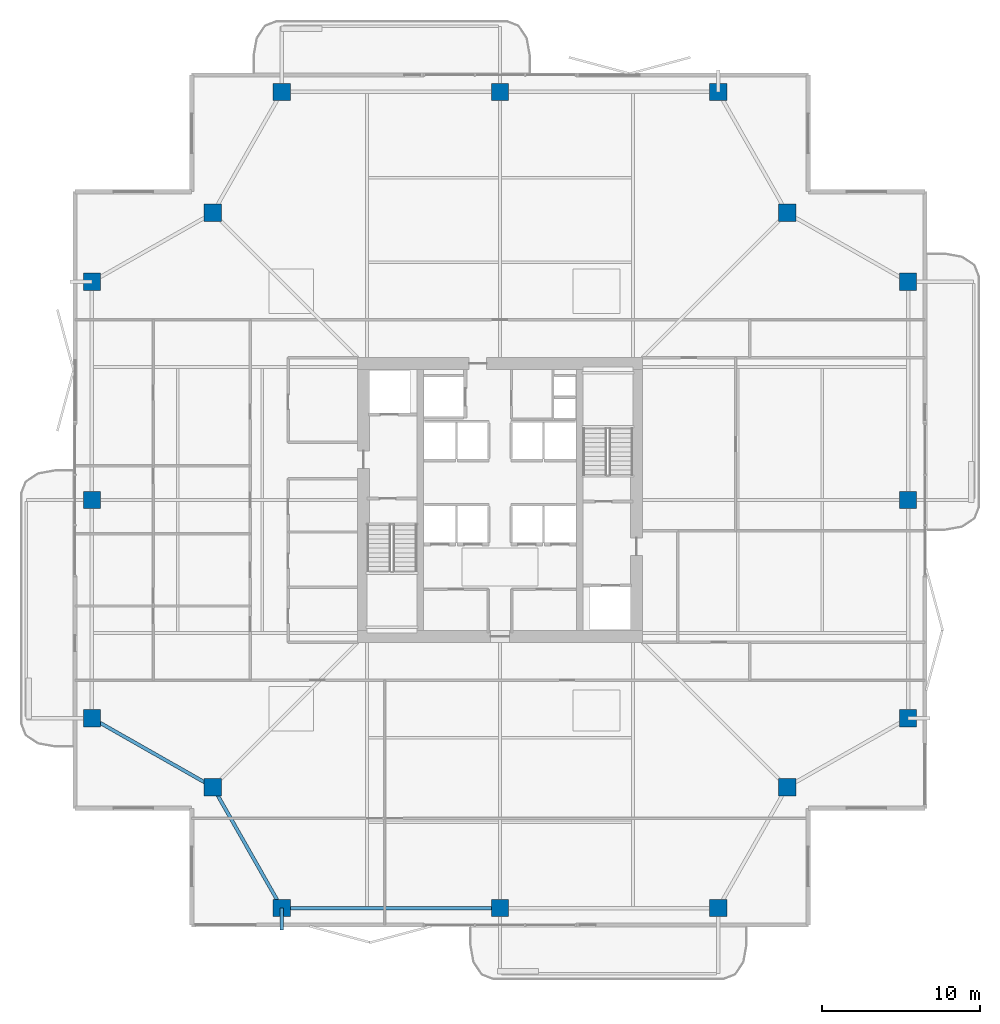
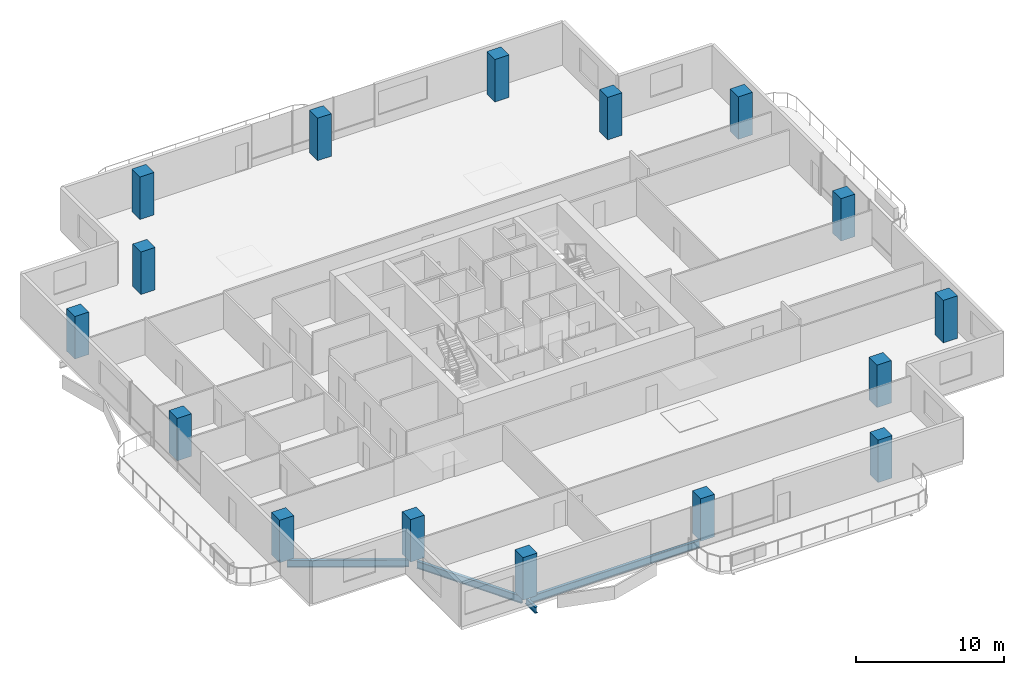
# One storey, part 1 of 24: 16 columns, 4 beams.
"""IFC4 building model written with IfcOpenShell, lengths in metres."""

from ifc_helpers import new_model, si_unit, direction, frame, origin, origin_2d, place, context, subcontext, project, spatial, rectangle, i_section, extrude, material, material_profile, profile_set, type_object, element, save


model = new_model("IFC4")

# Units and contexts
model_context = context("Model", 3, precision=1e-05, world=origin(), true_north=direction((0.0, 1.0)))
body_context = subcontext(model_context, "Body", "Model", "MODEL_VIEW")
ifc_project = project(units=[si_unit("LENGTHUNIT", "METRE"), si_unit("AREAUNIT", "SQUARE_METRE"), si_unit("VOLUMEUNIT", "CUBIC_METRE"), si_unit("PLANEANGLEUNIT", "RADIAN"), si_unit("MASSUNIT", "GRAM", prefix="KILO")], contexts=[model_context])

# Site, building, storey
site_placement = place(None, origin())
site = spatial("IfcSite", under=ifc_project, at=site_placement, CompositionType="ELEMENT")
building_placement = place(site_placement, origin())
building = spatial("IfcBuilding", under=site, at=building_placement, Name="Belovzor Exchange Tower", CompositionType="ELEMENT")
storey_placement = place(building_placement, frame((0.0, 0.0, 214.949951171875)))
storey = spatial("IfcBuildingStorey", under=building, at=storey_placement, Name="L53", CompositionType="ELEMENT", Elevation=214.949951171875)

# Columns
ifc_material_1 = material(Name="Concrete C50/60", Category="concrete")
ifc_material_profile_1 = material_profile(ifc_material_1, rectangle(XDim=1.10009765625, YDim=1.10009765625, at=origin_2d()))
ifc_profile_set_1 = profile_set([ifc_material_profile_1], Name="Concrete C50/60")
column_type = type_object("IfcColumnType", Name="Reinforced Concrete Tower Column 1100x1100", PredefinedType="COLUMN", material=ifc_profile_set_1)
for number, where, z_axis, x_axis, name in (
    (1, (15.0, 3.0, 0.0029296875), (0.0, 0.0, 1.0), (1.0, 0.0, 0.0), "COL-T110 Reinforced Concrete Tower Column 1100x1100"),
    (2, (28.800048828125, 3.0, 0.0029296875), (0.0, 0.0, 1.0), (1.0, 0.0, 0.0), "COL-T110 Reinforced Concrete Tower Column 1100x1100"),
    (3, (42.60009765625, 3.0, 0.0029296875), (0.0, 0.0, 1.0), (1.0, 0.0, 0.0), "COL-T110 Reinforced Concrete Tower Column 1100x1100"),
    (4, (54.60009765625, 15.0, 0.0029296875), (0.0, 0.0, 1.0), (1.0, 0.0, 0.0), "COL-T110 Reinforced Concrete Tower Column 1100x1100"),
    (5, (54.60009765625, 28.800048828125, 0.0029296875), (0.0, 0.0, 1.0), (1.0, 0.0, 0.0), "COL-T110 Reinforced Concrete Tower Column 1100x1100"),
    (6, (54.60009765625, 42.60009765625, 0.0029296875), (0.0, 0.0, 1.0), (1.0, 0.0, 0.0), "COL-T110 Reinforced Concrete Tower Column 1100x1100"),
    (7, (42.60009765625, 54.60009765625, 0.0029296875), (0.0, 0.0, 1.0), (1.0, 0.0, 0.0), "COL-T110 Reinforced Concrete Tower Column 1100x1100"),
    (8, (28.800048828125, 54.60009765625, 0.0029296875), (0.0, 0.0, 1.0), (1.0, 0.0, 0.0), "COL-T110 Reinforced Concrete Tower Column 1100x1100"),
    (9, (15.0, 54.60009765625, 0.0029296875), (0.0, 0.0, 1.0), (1.0, 0.0, 0.0), "COL-T110 Reinforced Concrete Tower Column 1100x1100"),
    (10, (3.0, 42.60009765625, 0.0029296875), (0.0, 0.0, 1.0), (1.0, 0.0, 0.0), "COL-T110 Reinforced Concrete Tower Column 1100x1100"),
    (11, (3.0, 28.800048828125, 0.0029296875), (0.0, 0.0, 1.0), (1.0, 0.0, 0.0), "COL-T110 Reinforced Concrete Tower Column 1100x1100"),
    (12, (3.0, 15.0, 0.0029296875), (0.0, 0.0, 1.0), (1.0, 0.0, 0.0), "COL-T110 Reinforced Concrete Tower Column 1100x1100"),
    (13, (10.64990234375, 10.64990234375, 0.0029296875), (0.0, 0.0, 1.0), (1.0, 0.0, 0.0), "COL-T110 Reinforced Concrete Tower Column 1100x1100"),
    (14, (46.949951171875, 10.64990234375, 0.0029296875), (0.0, 0.0, 1.0), (1.0, 0.0, 0.0), "COL-T110 Reinforced Concrete Tower Column 1100x1100"),
    (15, (46.949951171875, 46.949951171875, 0.0029296875), (0.0, 0.0, 1.0), (1.0, 0.0, 0.0), "COL-T110 Reinforced Concrete Tower Column 1100x1100"),
    (16, (10.64990234375, 46.949951171875, 0.0029296875), (0.0, 0.0, 1.0), (1.0, 0.0, 0.0), "COL-T110 Reinforced Concrete Tower Column 1100x1100"),
):
    element("IfcColumn", number, at=place(storey_placement, frame(where, z_axis=z_axis, x_axis=x_axis)), inside=storey, type_object=column_type, Name=name, PredefinedType="COLUMN", context=body_context, shape_type="SweptSolid", body=[
        extrude(rectangle(XDim=1.10009765625, YDim=1.10009765625, at=origin_2d()), origin(), (0.0, 0.0, 1.0), 3.494140625),
    ])

# Beams
ifc_material_2 = material(Name="Steel S355", Category="steel")
ifc_material_profile_2 = material_profile(ifc_material_2, i_section(OverallWidth=0.199951171875, OverallDepth=0.5, WebThickness=0.01025390625, FlangeThickness=0.01611328125, at=origin_2d()))
ifc_profile_set_2 = profile_set([ifc_material_profile_2], Name="Steel S355")
beam_type_1 = type_object("IfcBeamType", Name="Planted Balcony Cantilever Beam IPE 500", PredefinedType="BEAM", material=ifc_profile_set_2)
beam_1_placement = place(storey_placement, frame((15.0, 3.0, -0.5), z_axis=(0.0, -1.0, 0.0), x_axis=(1.0, 0.0, 0.0)))
element("IfcBeam", 17, at=beam_1_placement, inside=storey, type_object=beam_type_1, Name="BC-500 Planted Balcony Cantilever Beam IPE 500", PredefinedType="BEAM", context=body_context, shape_type="SweptSolid", body=[
    extrude(i_section(OverallWidth=0.199951171875, OverallDepth=0.5, WebThickness=0.01025390625, FlangeThickness=0.01611328125, at=origin_2d()), origin(), (0.0, 0.0, 1.0), 1.39990234375),
])
ifc_material_3 = material(Name="Steel S355", Category="steel")
ifc_material_profile_3 = material_profile(ifc_material_3, i_section(OverallWidth=0.219970703125, OverallDepth=0.60009765625, WebThickness=0.011962890625, FlangeThickness=0.01904296875, at=origin_2d()))
ifc_profile_set_3 = profile_set([ifc_material_profile_3], Name="Steel S355")
beam_type_2 = type_object("IfcBeamType", Name="Zone 4 Flare Primary Girder IPE 600", PredefinedType="BEAM", material=ifc_profile_set_3)
beam_2_placement = place(storey_placement, frame((10.800048828125, 10.386962890625, -0.550048828125), z_axis=(0.494222323641, -0.869335547884, 0.0), x_axis=(0.869335547884, 0.494222323641, 0.0)))
element("IfcBeam", 18, at=beam_2_placement, inside=storey, type_object=beam_type_2, Name="FG-Z4 Zone 4 Flare Primary Girder IPE 600", PredefinedType="BEAM", context=body_context, shape_type="SweptSolid", body=[
    extrude(i_section(OverallWidth=0.219970703125, OverallDepth=0.60009765625, WebThickness=0.011962890625, FlangeThickness=0.01904296875, at=origin_2d()), origin(), (0.0, 0.0, 1.0), 8.19482421875),
])
beam_3_placement = place(storey_placement, frame((15.302978515625, 3.0, -0.550048828125), z_axis=(1.0, 0.0, 0.0), x_axis=(0.0, 1.0, 0.0)))
element("IfcBeam", 19, at=beam_3_placement, inside=storey, type_object=beam_type_2, Name="FG-Z4 Zone 4 Flare Primary Girder IPE 600", PredefinedType="BEAM", context=body_context, shape_type="SweptSolid", body=[
    extrude(i_section(OverallWidth=0.219970703125, OverallDepth=0.60009765625, WebThickness=0.011962890625, FlangeThickness=0.01904296875, at=origin_2d()), origin(), (0.0, 0.0, 1.0), 13.195068359375),
])
beam_4_placement = place(storey_placement, frame((3.262939453125, 14.85009765625, -0.550048828125), z_axis=(0.869335547884, -0.494222323641, 0.0), x_axis=(0.494222323641, 0.869335547884, 0.0)))
element("IfcBeam", 20, at=beam_4_placement, inside=storey, type_object=beam_type_2, Name="FG-Z4 Zone 4 Flare Primary Girder IPE 600", PredefinedType="BEAM", context=body_context, shape_type="SweptSolid", body=[
    extrude(i_section(OverallWidth=0.219970703125, OverallDepth=0.60009765625, WebThickness=0.011962890625, FlangeThickness=0.01904296875, at=origin_2d()), origin(), (0.0, 0.0, 1.0), 8.19482421875),
])

save(model, "model.ifc")
